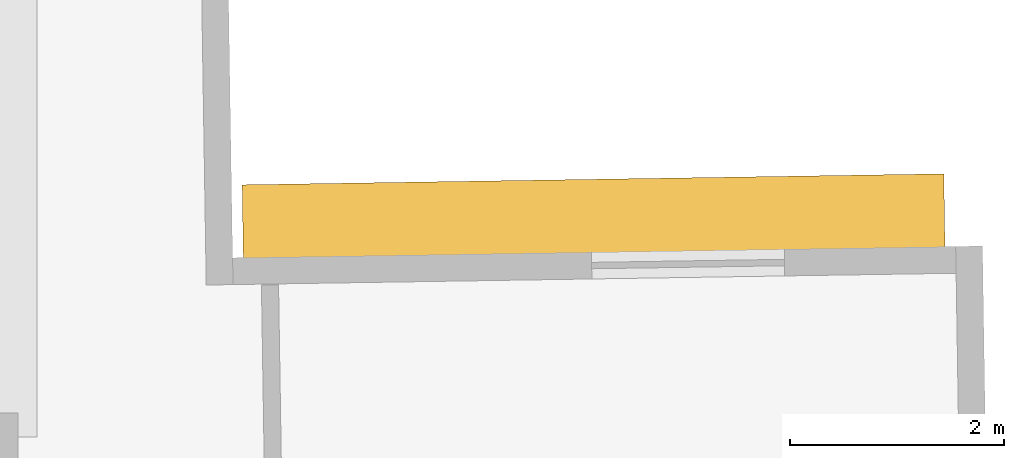
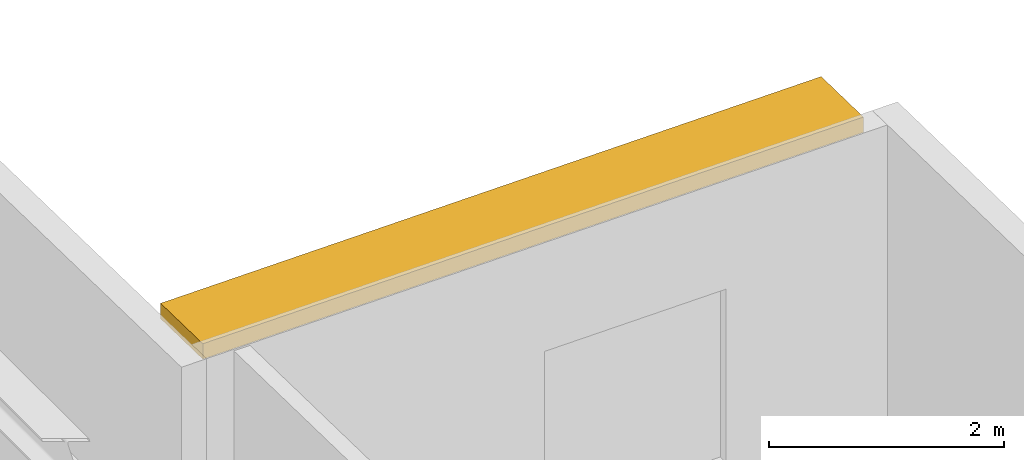
# One storey, part 18 of 18: 1 shading device.
"""IFC4 building model written with IfcOpenShell, lengths in metres."""

from ifc_helpers import new_model, si_unit, direction, frame, origin, origin_2d, place, context, subcontext, project, spatial, rectangle, extrude, material, layer, layer_set, type_object, element, save


model = new_model("IFC4")

# Units and contexts
model_context = context("Model", 3, precision=1e-05, world=origin(), true_north=direction((0.0, 1.0)))
body_context = subcontext(model_context, "Body", "Model", "MODEL_VIEW")
ifc_project = project(units=[si_unit("LENGTHUNIT", "METRE"), si_unit("AREAUNIT", "SQUARE_METRE"), si_unit("VOLUMEUNIT", "CUBIC_METRE"), si_unit("PLANEANGLEUNIT", "RADIAN"), si_unit("MASSUNIT", "GRAM", prefix="KILO")], contexts=[model_context])

# Site, building, storey
site_placement = place(None, origin())
site = spatial("IfcSite", under=ifc_project, at=site_placement, CompositionType="ELEMENT")
building_placement = place(site_placement, origin())
building = spatial("IfcBuilding", under=site, at=building_placement, Name="Qingluan Cross Belvedere", CompositionType="ELEMENT")
storey_placement = place(building_placement, frame((0.0, 0.0, 303.89990234375)))
storey = spatial("IfcBuildingStorey", under=building, at=storey_placement, Name="L75", CompositionType="ELEMENT", Elevation=303.89990234375)

# Shading device
ifc_material = material(Name="Precast concrete C45", Category="concrete")
ifc_layer = layer(ifc_material, 0.139892578125, Name="ConcreteSunshadeBand_700")
ifc_layer_set = layer_set([ifc_layer], Name="Precast concrete C45")
shading_device_type = type_object("IfcShadingDeviceType", Name="ConcreteSunshadeBand_700", PredefinedType="USERDEFINED", material=ifc_layer_set)
shading_device_placement = place(storey_placement, frame((17.772216796875, 7.0048828125, 3.55029296875), z_axis=(0.0, 0.0, 1.0), x_axis=(-0.999876690424, -0.015703628455, 0.0)))
element("IfcShadingDevice", 1, at=shading_device_placement, inside=storey, type_object=shading_device_type, Name="Concrete SUNSHADE L75-EB", ObjectType="SUNSHADE", PredefinedType="USERDEFINED", context=body_context, shape_type="SweptSolid", body=[
    extrude(rectangle(XDim=6.550048828125, YDim=0.699951171875, at=origin_2d()), origin(), (0.0, 0.0, 1.0), 0.159912109375),
])

save(model, "model.ifc")
